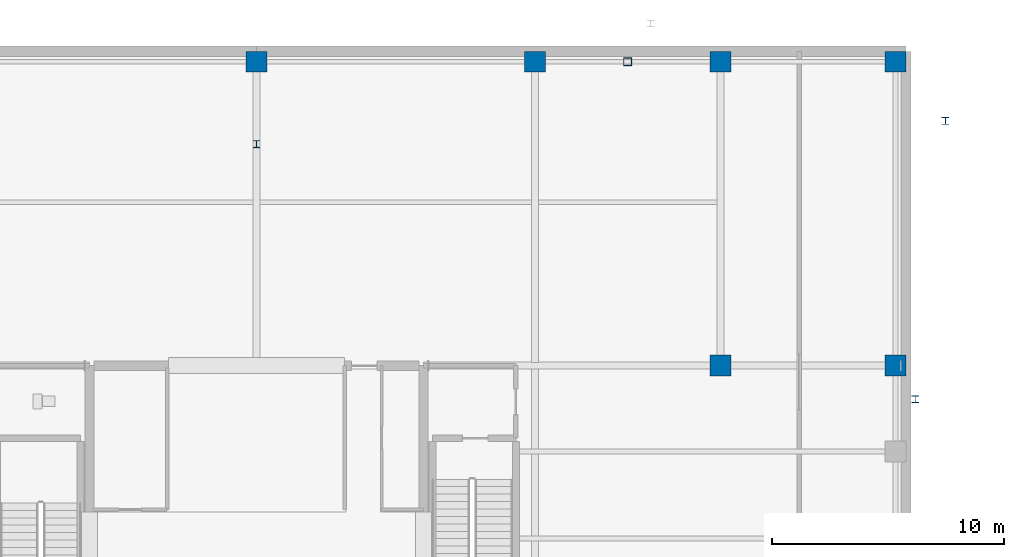
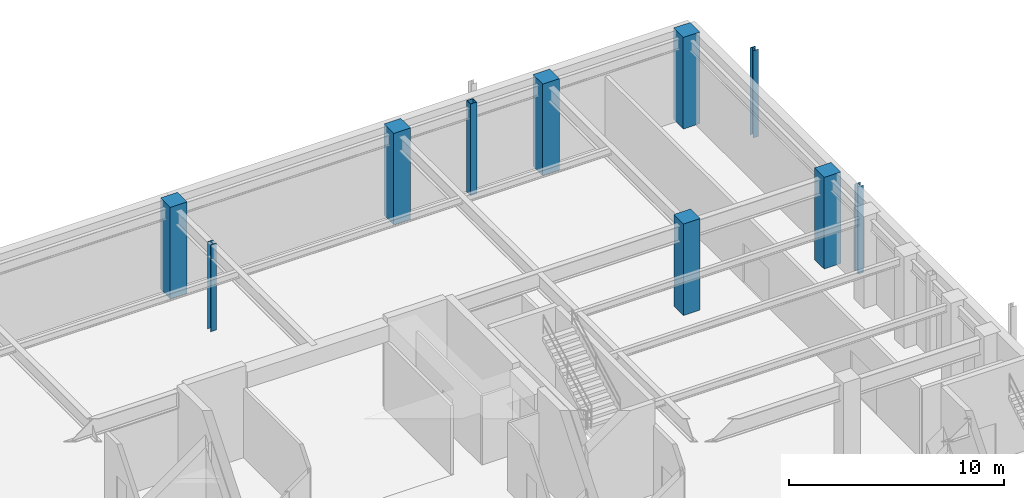
# One storey, part 5 of 16: 10 columns.
"""IFC4 building model written with IfcOpenShell, lengths in metres."""

from ifc_helpers import new_model, si_unit, direction, frame, origin, origin_2d, place, context, subcontext, project, spatial, rectangle, hollow_rectangle, i_section, extrude, material, material_profile, profile_set, type_object, element, save


model = new_model("IFC4")

# Units and contexts
model_context = context("Model", 3, precision=1e-05, world=origin(), true_north=direction((0.0, 1.0)))
body_context = subcontext(model_context, "Body", "Model", "MODEL_VIEW")
ifc_project = project(units=[si_unit("LENGTHUNIT", "METRE"), si_unit("AREAUNIT", "SQUARE_METRE"), si_unit("VOLUMEUNIT", "CUBIC_METRE"), si_unit("PLANEANGLEUNIT", "RADIAN"), si_unit("MASSUNIT", "GRAM", prefix="KILO")], contexts=[model_context])

# Site, building, storey
site_placement = place(None, origin())
site = spatial("IfcSite", under=ifc_project, at=site_placement, CompositionType="ELEMENT")
building_placement = place(site_placement, origin())
building = spatial("IfcBuilding", under=site, at=building_placement, Name="Veldorina Hangang Commons", CompositionType="ELEMENT")
storey_placement = place(building_placement, frame((0.0, 0.0, -5.199951171875)))
storey = spatial("IfcBuildingStorey", under=building, at=storey_placement, Name="B01", CompositionType="ELEMENT", Elevation=-5.199951171875)

# Columns
ifc_material_1 = material(Name="Steel SM355-TMC", Category="steel")
ifc_material_profile_1 = material_profile(ifc_material_1, i_section(OverallWidth=0.300048828125, OverallDepth=0.300048828125, WebThickness=0.010009765625, FlangeThickness=0.014892578125, FilletRadius=0.012939453125, at=origin_2d()), Name="H-300x300x10x15")
ifc_profile_set_1 = profile_set([ifc_material_profile_1], Name="Steel SM355-TMC")
column_type_1 = type_object("IfcColumnType", Name="COL-H300", PredefinedType="COLUMN", material=ifc_profile_set_1)
for number, where, z_axis, x_axis, name in (
    (1, (32.0, 41.0, 0.0), (0.0, 0.0, 1.0), (1.0, 0.0, 0.0), "B01 walkway support pier NORTH3"),
    (2, (61.699951171875, 42.0, 0.0), (0.0, 0.0, 1.0), (1.0, 0.0, 0.0), "B01 walkway support pier EAST2"),
    (3, (60.39990234375, 30.0, 0.0), (0.0, 0.0, 1.0), (1.0, 0.0, 0.0), "B01 walkway support pier EAST3"),
):
    element("IfcColumn", number, at=place(storey_placement, frame(where, z_axis=z_axis, x_axis=x_axis)), inside=storey, type_object=column_type_1, Name=name, PredefinedType="COLUMN", context=body_context, shape_type="SweptSolid", body=[
        extrude(i_section(OverallWidth=0.300048828125, OverallDepth=0.300048828125, WebThickness=0.010009765625, FlangeThickness=0.014892578125, FilletRadius=0.012939453125, at=origin_2d()), origin(), (0.0, 0.0, 1.0), 4.949951171875),
    ])
ifc_material_profile_2 = material_profile(ifc_material_1, hollow_rectangle(XDim=0.35009765625, YDim=0.35009765625, WallThickness=0.01611328125, at=origin_2d()), Name="SHS-350x350x16")
ifc_profile_set_2 = profile_set([ifc_material_profile_2], Name="Steel SM355-TMC")
column_type_2 = type_object("IfcColumnType", Name="COL-PIL-350", PredefinedType="PILASTER", material=ifc_profile_set_2)
column_placement = place(storey_placement, frame((48.0, 44.550048828125, 0.0), z_axis=(0.0, 0.0, 1.0), x_axis=(1.0, 0.0, 0.0)))
element("IfcColumn", 4, at=column_placement, inside=storey, type_object=column_type_2, Name="B01 rationalist colonnade pilaster 2", PredefinedType="PILASTER", context=body_context, shape_type="SweptSolid", body=[
    extrude(hollow_rectangle(XDim=0.35009765625, YDim=0.35009765625, WallThickness=0.01611328125, at=origin_2d()), origin(), (0.0, 0.0, 1.0), 5.199951171875),
])
ifc_material_2 = material(Name="Concrete C50/60", Category="concrete")
ifc_material_profile_3 = material_profile(ifc_material_2, rectangle(XDim=0.89990234375, YDim=0.89990234375, at=origin_2d()), Name="RC-COL-900x900")
ifc_profile_set_3 = profile_set([ifc_material_profile_3], Name="Concrete C50/60")
column_type_3 = type_object("IfcColumnType", Name="COL-RC900", PredefinedType="COLUMN", material=ifc_profile_set_3)
for number, where, z_axis, x_axis, name in (
    (5, (32.0, 44.550048828125, 0.0), (0.0, 0.0, 1.0), (1.0, 0.0, 0.0), "B01 structural column N4"),
    (6, (44.0, 44.550048828125, 0.0), (0.0, 0.0, 1.0), (1.0, 0.0, 0.0), "B01 structural column N5"),
    (7, (52.0, 44.550048828125, 0.0), (0.0, 0.0, 1.0), (1.0, 0.0, 0.0), "B01 structural column N6"),
    (8, (59.550048828125, 44.550048828125, 0.0), (0.0, 0.0, 1.0), (1.0, 0.0, 0.0), "B01 structural column N7"),
    (9, (59.550048828125, 31.449951171875, 0.0), (0.0, 0.0, 1.0), (1.0, 0.0, 0.0), "B01 structural column E5"),
    (10, (52.0, 31.449951171875, 0.0), (0.0, 0.0, 1.0), (1.0, 0.0, 0.0), "B01 structural column BM4"),
):
    element("IfcColumn", number, at=place(storey_placement, frame(where, z_axis=z_axis, x_axis=x_axis)), inside=storey, type_object=column_type_3, Name=name, PredefinedType="COLUMN", context=body_context, shape_type="SweptSolid", body=[
        extrude(rectangle(XDim=0.89990234375, YDim=0.89990234375, at=origin_2d()), origin(), (0.0, 0.0, 1.0), 5.199951171875),
    ])

save(model, "model.ifc")
